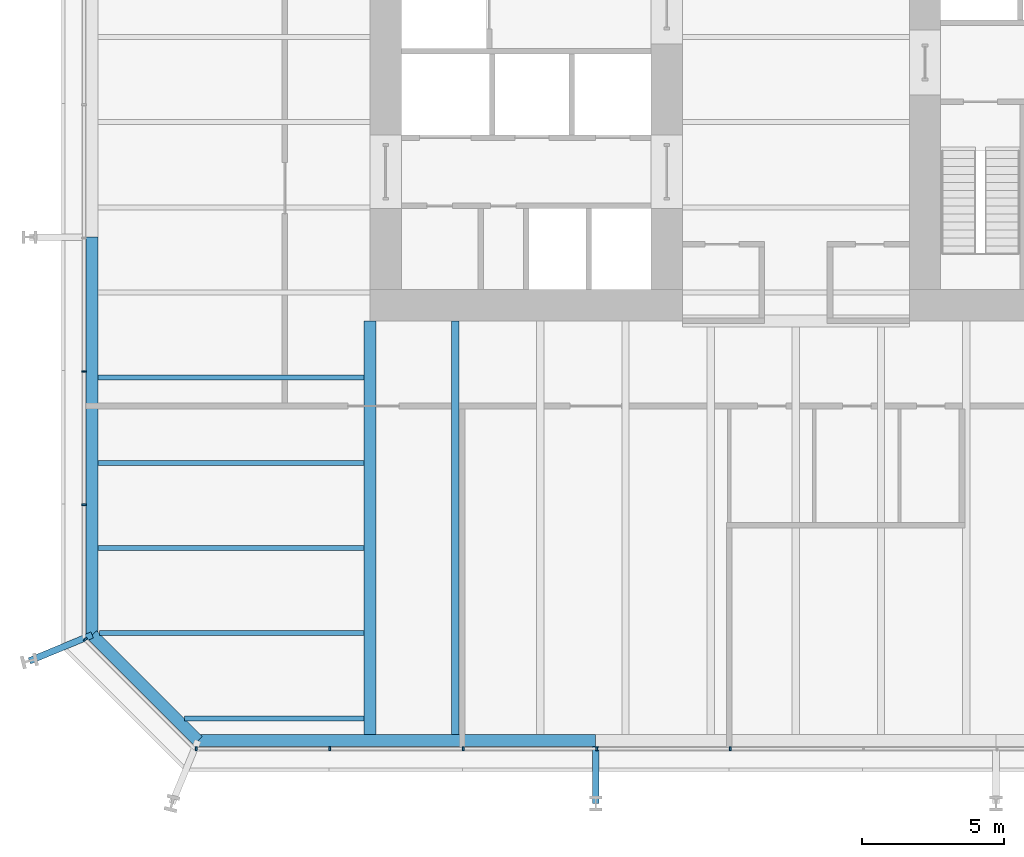
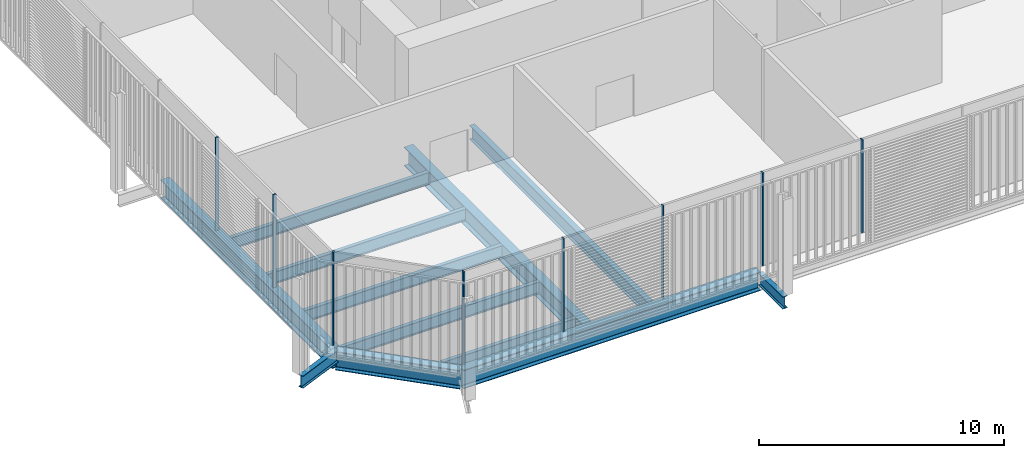
# One storey, part 2 of 22: 12 beams, 8 members, 3 elements without a shape of their own.
"""IFC4 building model written with IfcOpenShell, lengths in metres."""

from ifc_helpers import new_model, si_unit, direction, frame, origin, origin_2d, place, context, subcontext, project, spatial, rectangle, i_section, extrude, material, layer, layer_set, material_profile, profile_set, type_object, element, aggregate, save


model = new_model("IFC4")

# Units and contexts
model_context = context("Model", 3, precision=1e-05, world=origin(), true_north=direction((0.0, 1.0)))
body_context = subcontext(model_context, "Body", "Model", "MODEL_VIEW")
ifc_project = project(units=[si_unit("LENGTHUNIT", "METRE"), si_unit("AREAUNIT", "SQUARE_METRE"), si_unit("VOLUMEUNIT", "CUBIC_METRE"), si_unit("PLANEANGLEUNIT", "RADIAN"), si_unit("MASSUNIT", "GRAM", prefix="KILO")], contexts=[model_context])

# Site, building, storey
site_placement = place(None, origin())
site = spatial("IfcSite", under=ifc_project, at=site_placement, CompositionType="ELEMENT")
building_placement = place(site_placement, origin())
building = spatial("IfcBuilding", under=site, at=building_placement, Name="Millrace Tower", CompositionType="ELEMENT")
storey_placement = place(building_placement, frame((0.0, 0.0, 25.699951171875)))
storey = spatial("IfcBuildingStorey", under=building, at=storey_placement, Name="L06", CompositionType="ELEMENT", Elevation=25.699951171875)

# Curtain wall, member
ifc_material_1 = material(Name="Aluminium and glass", Category="aluminium")
ifc_layer = layer(ifc_material_1, 0.14990234375)
ifc_layer_set = layer_set([ifc_layer], Name="Aluminium and glass")
curtain_wall_type = type_object("IfcCurtainWallType", Name="CW-2 data hall insulated curtain wall", PredefinedType="NOTDEFINED", material=ifc_layer_set)
placement = place(storey_placement, origin())
curtain_wall_1 = element("IfcCurtainWall", 1, at=placement, inside=storey, type_object=curtain_wall_type, Name="Curtain wall A-F01 L06", PredefinedType="NOTDEFINED")
ifc_material_2 = material(Name="Aluminium", Category="aluminium")
ifc_material_profile_1 = material_profile(ifc_material_2, rectangle(XDim=0.06494140625, YDim=0.14990234375, at=origin_2d()))
ifc_profile_set_1 = profile_set([ifc_material_profile_1], Name="Aluminium")
member_type = type_object("IfcMemberType", Name="CW-2 data hall insulated curtain wall mullion", PredefinedType="MULLION", material=ifc_profile_set_1)
member_1_placement = place(storey_placement, frame((-25.030029296875, -21.22607421875, 0.16015625), z_axis=(0.0, 0.0, 1.0), x_axis=(0.707106781187, -0.707106781187, 0.0)))
member_1 = element("IfcMember", 2, at=member_1_placement, type_object=member_type, Name="CW2 mullion A-F01.1", PredefinedType="MULLION", context=body_context, shape_type="SweptSolid", body=[
    extrude(rectangle(XDim=0.06494140625, YDim=0.14990234375, at=origin_2d()), origin(), (0.0, 0.0, 1.0), 4.639892578125),
])
aggregate(curtain_wall_1, [member_1])

# Curtain wall, members
curtain_wall_2 = element("IfcCurtainWall", 3, at=placement, inside=storey, type_object=curtain_wall_type, Name="Curtain wall A-F02 L06", PredefinedType="NOTDEFINED")
member_2_placement = place(storey_placement, frame((-21.117431640625, -25.074951171875, 0.16015625), z_axis=(0.0, 0.0, 1.0), x_axis=(1.0, 0.0, 0.0)))
member_2 = element("IfcMember", 4, at=member_2_placement, type_object=member_type, Name="CW2 mullion A-F02.1", PredefinedType="MULLION", context=body_context, shape_type="SweptSolid", body=[
    extrude(rectangle(XDim=0.06494140625, YDim=0.14990234375, at=origin_2d()), origin(), (0.0, 0.0, 1.0), 4.639892578125),
])
member_3_placement = place(storey_placement, frame((-16.41748046875, -25.074951171875, 0.16015625), z_axis=(0.0, 0.0, 1.0), x_axis=(1.0, 0.0, 0.0)))
member_3 = element("IfcMember", 5, at=member_3_placement, type_object=member_type, Name="CW2 mullion A-F02.2", PredefinedType="MULLION", context=body_context, shape_type="SweptSolid", body=[
    extrude(rectangle(XDim=0.06494140625, YDim=0.14990234375, at=origin_2d()), origin(), (0.0, 0.0, 1.0), 4.639892578125),
])
member_4_placement = place(storey_placement, frame((-11.717529296875, -25.074951171875, 0.16015625), z_axis=(0.0, 0.0, 1.0), x_axis=(1.0, 0.0, 0.0)))
member_4 = element("IfcMember", 6, at=member_4_placement, type_object=member_type, Name="CW2 mullion A-F02.3", PredefinedType="MULLION", context=body_context, shape_type="SweptSolid", body=[
    extrude(rectangle(XDim=0.06494140625, YDim=0.14990234375, at=origin_2d()), origin(), (0.0, 0.0, 1.0), 4.639892578125),
])
member_5_placement = place(storey_placement, frame((-7.017578125, -25.074951171875, 0.16015625), z_axis=(0.0, 0.0, 1.0), x_axis=(1.0, 0.0, 0.0)))
member_5 = element("IfcMember", 7, at=member_5_placement, type_object=member_type, Name="CW2 mullion A-F02.4", PredefinedType="MULLION", context=body_context, shape_type="SweptSolid", body=[
    extrude(rectangle(XDim=0.06494140625, YDim=0.14990234375, at=origin_2d()), origin(), (0.0, 0.0, 1.0), 4.639892578125),
])
member_6_placement = place(storey_placement, frame((-2.3173828125, -25.074951171875, 0.16015625), z_axis=(0.0, 0.0, 1.0), x_axis=(1.0, 0.0, 0.0)))
member_6 = element("IfcMember", 8, at=member_6_placement, type_object=member_type, Name="CW2 mullion A-F02.5", PredefinedType="MULLION", context=body_context, shape_type="SweptSolid", body=[
    extrude(rectangle(XDim=0.06494140625, YDim=0.14990234375, at=origin_2d()), origin(), (0.0, 0.0, 1.0), 4.639892578125),
])
aggregate(curtain_wall_2, [member_2, member_3, member_4, member_5, member_6])

curtain_wall_3 = element("IfcCurtainWall", 9, at=placement, inside=storey, type_object=curtain_wall_type, Name="Curtain wall A-F08 L06", PredefinedType="NOTDEFINED")
member_7_placement = place(storey_placement, frame((-25.074951171875, -11.782470703125, 0.16015625), z_axis=(0.0, 0.0, 1.0), x_axis=(0.0, -1.0, 0.0)))
member_7 = element("IfcMember", 10, at=member_7_placement, type_object=member_type, Name="CW2 mullion A-F08.8", PredefinedType="MULLION", context=body_context, shape_type="SweptSolid", body=[
    extrude(rectangle(XDim=0.06494140625, YDim=0.14990234375, at=origin_2d()), origin(), (0.0, 0.0, 1.0), 4.639892578125),
])
member_8_placement = place(storey_placement, frame((-25.074951171875, -16.482421875, 0.16015625), z_axis=(0.0, 0.0, 1.0), x_axis=(0.0, -1.0, 0.0)))
member_8 = element("IfcMember", 11, at=member_8_placement, type_object=member_type, Name="CW2 mullion A-F08.9", PredefinedType="MULLION", context=body_context, shape_type="SweptSolid", body=[
    extrude(rectangle(XDim=0.06494140625, YDim=0.14990234375, at=origin_2d()), origin(), (0.0, 0.0, 1.0), 4.639892578125),
])
aggregate(curtain_wall_3, [member_7, member_8])

# Beams
ifc_material_3 = material(Name="Steel ASTM A992 Grade 50", Category="steel")
ifc_material_profile_2 = material_profile(ifc_material_3, i_section(OverallWidth=0.177978515625, OverallDepth=0.599365234375, WebThickness=0.010009765625, FlangeThickness=0.012939453125, FilletRadius=0.012939453125, at=origin_2d()))
ifc_profile_set_2 = profile_set([ifc_material_profile_2], Name="Steel ASTM A992 Grade 50")
beam_type_1 = type_object("IfcBeamType", Name="Floor beam W24x55", PredefinedType="JOIST", material=ifc_profile_set_2)
beam_1_placement = place(storey_placement, frame((-21.52978515625, -24.0, -0.524658203125), z_axis=(1.0, 0.0, 0.0), x_axis=(0.0, 1.0, 0.0)))
element("IfcBeam", 12, at=beam_1_placement, inside=storey, type_object=beam_type_1, Name="BM-A-L06-S1-S001", PredefinedType="JOIST", context=body_context, shape_type="SweptSolid", body=[
    extrude(i_section(OverallWidth=0.177978515625, OverallDepth=0.599365234375, WebThickness=0.010009765625, FlangeThickness=0.012939453125, FilletRadius=0.012939453125, at=origin_2d()), origin(), (0.0, 0.0, 1.0), 6.317626953125),
])
ifc_material_4 = material(Name="Steel ASTM A992 Grade 50", Category="steel")
ifc_material_profile_3 = material_profile(ifc_material_4, i_section(OverallWidth=0.1787109375, OverallDepth=0.60205078125, WebThickness=0.010986328125, FlangeThickness=0.014892578125, FilletRadius=0.0126953125, at=origin_2d()))
ifc_profile_set_3 = profile_set([ifc_material_profile_3], Name="Steel ASTM A992 Grade 50")
beam_type_2 = type_object("IfcBeamType", Name="Floor beam W24x62", PredefinedType="JOIST", material=ifc_profile_set_3)
for number, where, z_axis, x_axis, name in (
    (13, (-24.578369140625, -18.0, -0.52587890625), (1.0, 0.0, 0.0), (0.0, 1.0, 0.0), "BM-A-L06-S1-S005"),
    (14, (-24.578369140625, -15.0, -0.52587890625), (1.0, 0.0, 0.0), (0.0, 1.0, 0.0), "BM-A-L06-S1-S007"),
    (15, (-24.578369140625, -12.0, -0.52587890625), (1.0, 0.0, 0.0), (0.0, 1.0, 0.0), "BM-A-L06-S1-S009"),
):
    element("IfcBeam", number, at=place(storey_placement, frame(where, z_axis=z_axis, x_axis=x_axis)), inside=storey, type_object=beam_type_2, Name=name, PredefinedType="JOIST", context=body_context, shape_type="SweptSolid", body=[
        extrude(i_section(OverallWidth=0.1787109375, OverallDepth=0.60205078125, WebThickness=0.010986328125, FlangeThickness=0.014892578125, FilletRadius=0.0126953125, at=origin_2d()), origin(), (0.0, 0.0, 1.0), 9.3662109375),
    ])
beam_2_placement = place(storey_placement, frame((-24.52978515625, -21.0, -0.52587890625), z_axis=(1.0, 0.0, 0.0), x_axis=(0.0, 1.0, 0.0)))
element("IfcBeam", 16, at=beam_2_placement, inside=storey, type_object=beam_type_2, Name="BM-A-L06-S1-S003", PredefinedType="JOIST", context=body_context, shape_type="SweptSolid", body=[
    extrude(i_section(OverallWidth=0.1787109375, OverallDepth=0.60205078125, WebThickness=0.010986328125, FlangeThickness=0.014892578125, FilletRadius=0.0126953125, at=origin_2d()), origin(), (0.0, 0.0, 1.0), 9.317626953125),
])
ifc_material_5 = material(Name="Steel ASTM A992 Grade 50", Category="steel")
ifc_material_profile_4 = material_profile(ifc_material_5, i_section(OverallWidth=0.256591796875, OverallDepth=0.693359375, WebThickness=0.014404296875, FlangeThickness=0.023681640625, FilletRadius=0.01513671875, at=origin_2d()))
ifc_profile_set_4 = profile_set([ifc_material_profile_4], Name="Steel ASTM A992 Grade 50")
beam_type_3 = type_object("IfcBeamType", Name="Floor beam W27x114", PredefinedType="JOIST", material=ifc_profile_set_4)
beam_3_placement = place(storey_placement, frame((-12.0, -24.578369140625, -0.57177734375), z_axis=(0.0, 1.0, 0.0), x_axis=(-1.0, 0.0, 0.0)))
element("IfcBeam", 17, at=beam_3_placement, inside=storey, type_object=beam_type_3, Name="BM-A-L06-S1-S043", PredefinedType="JOIST", context=body_context, shape_type="SweptSolid", body=[
    extrude(i_section(OverallWidth=0.256591796875, OverallDepth=0.693359375, WebThickness=0.014404296875, FlangeThickness=0.023681640625, FilletRadius=0.01513671875, at=origin_2d()), origin(), (0.0, 0.0, 1.0), 14.578369140625),
])
ifc_material_6 = material(Name="Steel ASTM A992 Grade 50", Category="steel")
ifc_material_profile_5 = material_profile(ifc_material_6, i_section(OverallWidth=0.424072265625, OverallDepth=0.947509765625, WebThickness=0.02392578125, FlangeThickness=0.042724609375, FilletRadius=0.024169921875, at=origin_2d()))
ifc_profile_set_5 = profile_set([ifc_material_profile_5], Name="Steel ASTM A992 Grade 50")
beam_type_4 = type_object("IfcBeamType", Name="Girder medium span W36x302", PredefinedType="BEAM", material=ifc_profile_set_5)
beam_4_placement = place(storey_placement, frame((-15.0, -24.578369140625, -0.69873046875), z_axis=(0.0, 1.0, 0.0), x_axis=(-1.0, 0.0, 0.0)))
element("IfcBeam", 18, at=beam_4_placement, inside=storey, type_object=beam_type_4, Name="BM-A-L06-S1-G061", PredefinedType="BEAM", context=body_context, shape_type="SweptSolid", body=[
    extrude(i_section(OverallWidth=0.424072265625, OverallDepth=0.947509765625, WebThickness=0.02392578125, FlangeThickness=0.042724609375, FilletRadius=0.024169921875, at=origin_2d()), origin(), (0.0, 0.0, 1.0), 14.578369140625),
])
ifc_material_7 = material(Name="Steel ASTM A992 Grade 50", Category="steel")
ifc_material_profile_6 = material_profile(ifc_material_7, i_section(OverallWidth=0.23046875, OverallDepth=0.6171875, WebThickness=0.01318359375, FlangeThickness=0.022216796875, FilletRadius=0.012939453125, at=origin_2d()))
ifc_profile_set_6 = profile_set([ifc_material_profile_6], Name="Steel ASTM A992 Grade 50")
beam_type_5 = type_object("IfcBeamType", Name="Link beam W24x94", PredefinedType="BEAM", material=ifc_profile_set_6)
beam_5_placement = place(storey_placement, frame((-24.7890625, -21.062744140625, -0.533447265625), z_axis=(-0.923883789366, -0.382673155247, 0.0), x_axis=(0.382673155247, -0.923883789366, 0.0)))
element("IfcBeam", 19, at=beam_5_placement, inside=storey, type_object=beam_type_5, Name="LNK-A-L06-S1-01", PredefinedType="BEAM", context=body_context, shape_type="SweptSolid", body=[
    extrude(i_section(OverallWidth=0.23046875, OverallDepth=0.6171875, WebThickness=0.01318359375, FlangeThickness=0.022216796875, FilletRadius=0.012939453125, at=origin_2d()), origin(), (0.0, 0.0, 1.0), 2.39306640625),
])
beam_6_placement = place(storey_placement, frame((-7.050048828125, -25.0, -0.533447265625), z_axis=(0.0, -1.0, 0.0), x_axis=(1.0, 0.0, 0.0)))
element("IfcBeam", 20, at=beam_6_placement, inside=storey, type_object=beam_type_5, Name="LNK-A-L06-S1-15", PredefinedType="BEAM", context=body_context, shape_type="SweptSolid", body=[
    extrude(i_section(OverallWidth=0.23046875, OverallDepth=0.6171875, WebThickness=0.01318359375, FlangeThickness=0.022216796875, FilletRadius=0.012939453125, at=origin_2d()), origin(), (0.0, 0.0, 1.0), 2.0),
])
ifc_material_8 = material(Name="Steel ASTM A992 Grade 50", Category="steel")
ifc_material_profile_7 = material_profile(ifc_material_8, i_section(OverallWidth=0.421630859375, OverallDepth=0.937255859375, WebThickness=0.021240234375, FlangeThickness=0.03662109375, FilletRadius=0.024169921875, at=origin_2d()))
ifc_profile_set_7 = profile_set([ifc_material_profile_7], Name="Steel ASTM A992 Grade 50")
beam_type_6 = type_object("IfcBeamType", Name="Ring beam medium span W36x262", PredefinedType="SPANDREL", material=ifc_profile_set_7)
for number, where, z_axis, x_axis, name in (
    (21, (-24.7890625, -21.062744140625, -0.693603515625), (0.0, 1.0, 0.0), (-1.0, 0.0, 0.0), "RNG-A-L06-S1-01"),
    (22, (-7.050048828125, -24.7890625, -0.693603515625), (-1.0, 0.0, 0.0), (0.0, -1.0, 0.0), "RNG-A-L06-S1-15"),
):
    element("IfcBeam", number, at=place(storey_placement, frame(where, z_axis=z_axis, x_axis=x_axis)), inside=storey, type_object=beam_type_6, Name=name, PredefinedType="SPANDREL", context=body_context, shape_type="SweptSolid", body=[
        extrude(i_section(OverallWidth=0.421630859375, OverallDepth=0.937255859375, WebThickness=0.021240234375, FlangeThickness=0.03662109375, FilletRadius=0.024169921875, at=origin_2d()), origin(), (0.0, 0.0, 1.0), 14.0126953125),
    ])
ifc_material_9 = material(Name="Steel ASTM A992 Grade 50", Category="steel")
ifc_material_profile_8 = material_profile(ifc_material_9, i_section(OverallWidth=0.421630859375, OverallDepth=0.937255859375, WebThickness=0.021240234375, FlangeThickness=0.03662109375, FilletRadius=0.024169921875, at=origin_2d()))
ifc_profile_set_8 = profile_set([ifc_material_profile_8], Name="Steel ASTM A992 Grade 50")
beam_type_7 = type_object("IfcBeamType", Name="Ring beam short span W36x262", PredefinedType="SPANDREL", material=ifc_profile_set_8)
beam_7_placement = place(storey_placement, frame((-21.062744140625, -24.7890625, -0.693603515625), z_axis=(-0.707106781187, 0.707106781187, 0.0), x_axis=(-0.707106781187, -0.707106781187, 0.0)))
element("IfcBeam", 23, at=beam_7_placement, inside=storey, type_object=beam_type_7, Name="RNG-A-L06-S1-16", PredefinedType="SPANDREL", context=body_context, shape_type="SweptSolid", body=[
    extrude(i_section(OverallWidth=0.421630859375, OverallDepth=0.937255859375, WebThickness=0.021240234375, FlangeThickness=0.03662109375, FilletRadius=0.024169921875, at=origin_2d()), origin(), (0.0, 0.0, 1.0), 5.269775390625),
])

save(model, "model.ifc")
